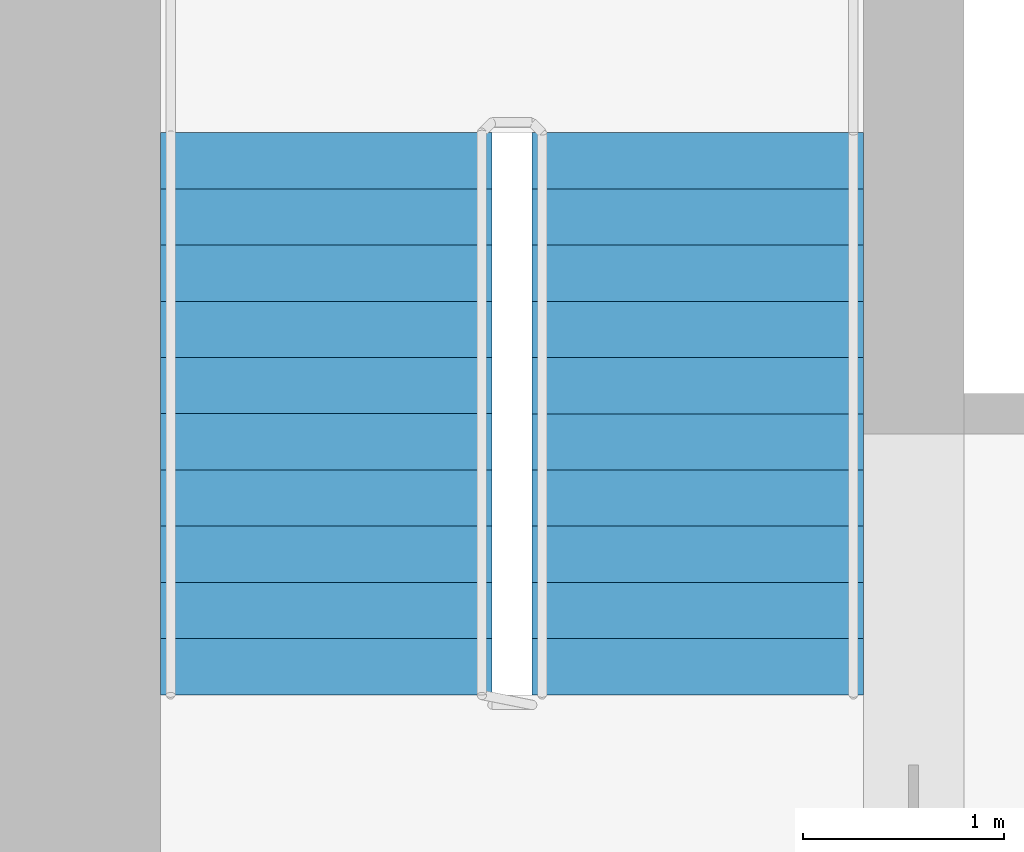
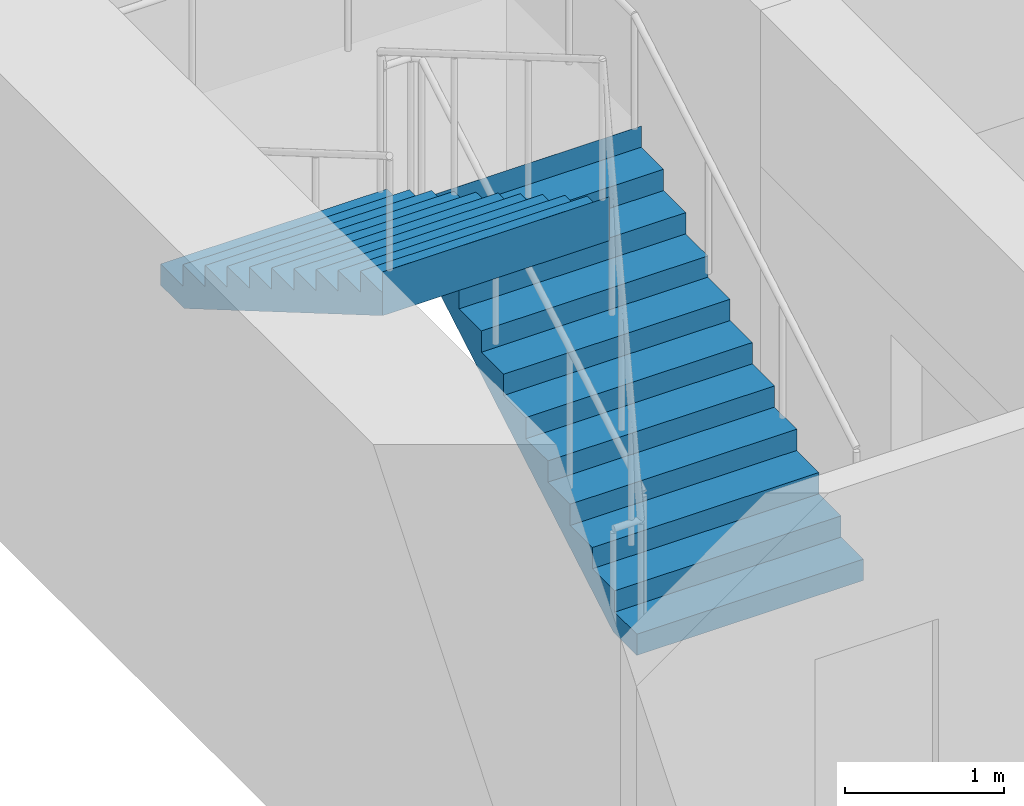
# One storey, part 13 of 14: 2 stair flights, 1 element without a shape of its own.
"""IFC4 building model written with IfcOpenShell, lengths in metres."""

import ifcopenshell
import ifcopenshell.guid

model = None  # the IFC model being written
_history = None  # IfcOwnerHistory: only IFC2X3 demands one
_inside = {}  # id of a spatial element -> (the spatial element, [elements in it])
_under = {}  # id of a project, library or spatial element -> (it, [spatial elements below it])
_declared = {}  # id of a project -> (the project, [libraries it declares])
_typed = {}  # id of a type object -> (the type object, [elements of that type])
_made_of = {}  # id of a material, layer set ... -> (it, [elements and type objects made of it])


def new_model(schema):
    """Start an empty IFC model of exactly this schema.

    Asked for "IFC4X3", IfcOpenShell would pick the latest addendum, in which some entities
    have other attributes; the version numbers below select the first issue.
    IFC2X3 requires an IfcOwnerHistory on every rooted entity: one is made here for all.
    """
    global model, _history
    if schema == "IFC4X3":
        model = ifcopenshell.file(schema_version=(4, 3, 0, 0))
    else:
        model = ifcopenshell.file(schema=schema)
    _inside.clear()
    _under.clear()
    _declared.clear()
    _typed.clear()
    _made_of.clear()
    _history = None
    if model.schema == "IFC2X3":
        org = make("IfcOrganization", Name="unknown")
        user = make(
            "IfcPersonAndOrganization",
            ThePerson=make("IfcPerson", FamilyName="unknown"),
            TheOrganization=org,
        )
        app = make(
            "IfcApplication",
            ApplicationDeveloper=org,
            Version="unknown",
            ApplicationFullName="unknown",
            ApplicationIdentifier="unknown",
        )
        _history = make(
            "IfcOwnerHistory",
            OwningUser=user,
            OwningApplication=app,
            ChangeAction="ADDED",
            CreationDate=0,
        )
    return model


def make(cls, **values):
    """One entity of the class cls with the attributes given. An attribute that is None is left unset."""
    return model.create_entity(
        cls, **{name: value for name, value in values.items() if value is not None}
    )


def rooted(cls, **values):
    """An entity with a GlobalId (a new one), such as an element, a storey or a relation."""
    return make(cls, GlobalId=ifcopenshell.guid.new(), OwnerHistory=_history, **values)


def si_unit(unit_type, name, prefix=None):
    """IfcSIUnit, for example si_unit("LENGTHUNIT", "METRE", prefix="MILLI")."""
    return make("IfcSIUnit", UnitType=unit_type, Prefix=prefix, Name=name)


def assignment(units):
    """IfcUnitAssignment: the units of a project."""
    return None if units is None else make("IfcUnitAssignment", Units=units)


def point(xyz):
    """IfcCartesianPoint."""
    return None if xyz is None else make("IfcCartesianPoint", Coordinates=xyz)


def direction(xyz):
    """IfcDirection."""
    return None if xyz is None else make("IfcDirection", DirectionRatios=xyz)


def frame(location, z_axis=None, x_axis=None):
    """IfcAxis2Placement3D, a coordinate frame: its origin and axes. An axis left out is left unset."""
    return make(
        "IfcAxis2Placement3D",
        Location=point(location),
        Axis=direction(z_axis),
        RefDirection=direction(x_axis),
    )


def origin():
    """The frame at (0, 0, 0) with its axes left unset."""
    return frame((0.0, 0.0, 0.0))


def place(relative_to, where):
    """IfcLocalPlacement: puts the frame where relative to a parent placement (None: the world)."""
    return make(
        "IfcLocalPlacement", PlacementRelTo=relative_to, RelativePlacement=where
    )


def context(
    kind, dimensions, precision=None, world=None, true_north=None, identifier=None
):
    """IfcGeometricRepresentationContext, for example the 3D "Model" context."""
    return make(
        "IfcGeometricRepresentationContext",
        ContextIdentifier=identifier,
        ContextType=kind,
        CoordinateSpaceDimension=dimensions,
        Precision=precision,
        WorldCoordinateSystem=world,
        TrueNorth=true_north,
    )


def subcontext(parent, identifier, kind, view, scale=None):
    """IfcGeometricRepresentationSubContext, for example "Body" below "Model"."""
    return make(
        "IfcGeometricRepresentationSubContext",
        ContextIdentifier=identifier,
        ContextType=kind,
        ParentContext=parent,
        TargetScale=scale,
        TargetView=view,
    )


def project(units=None, contexts=None):
    """IfcProject with its units and contexts."""
    return rooted(
        "IfcProject",
        Name="project",
        RepresentationContexts=contexts,
        UnitsInContext=assignment(units),
    )


def spatial(cls, under=None, at=None, **own):
    """A site, building, storey or space (cls), placed at a placement, below another one or the project."""
    s = rooted(cls, ObjectPlacement=at, **own)
    if under is not None:
        _under.setdefault(under.id(), (under, []))[1].append(s)
    return s


def polyline(points):
    """IfcPolyline through the points."""
    return make("IfcPolyline", Points=[point(p) for p in points])


def outline(outer, holes=None, kind="AREA"):
    """IfcArbitraryClosedProfileDef: a profile drawn as a closed curve; with holes, ...WithVoids."""
    if holes is None:
        return make("IfcArbitraryClosedProfileDef", ProfileType=kind, OuterCurve=outer)
    return make(
        "IfcArbitraryProfileDefWithVoids",
        ProfileType=kind,
        OuterCurve=outer,
        InnerCurves=holes,
    )


def extrude(swept, where, along, depth):
    """IfcExtrudedAreaSolid: the profile swept, set in the frame where, extruded along a direction by depth."""
    return make(
        "IfcExtrudedAreaSolid",
        SweptArea=swept,
        Position=where,
        ExtrudedDirection=direction(along),
        Depth=depth,
    )


def shape(context_of_items, identifier, shape_type, items):
    """IfcShapeRepresentation: the items that make up one representation, for example the "Body"."""
    return make(
        "IfcShapeRepresentation",
        ContextOfItems=context_of_items,
        RepresentationIdentifier=identifier,
        RepresentationType=shape_type,
        Items=items,
    )


def material(Name=None, Category=None):
    """IfcMaterial."""
    return make("IfcMaterial", Name=Name, Category=Category)


def made_of(thing, what):
    """Note that an element or type object is made of a material, layer set ...; save() writes the relation."""
    if what is not None:
        _made_of.setdefault(what.id(), (what, []))[1].append(thing)
    return thing


def type_object(cls, material=None, **own):
    """A type object (cls), such as IfcWallType, which elements share."""
    return made_of(rooted(cls, **own), material)


def element(
    cls,
    number,
    at=None,
    inside=None,
    cuts=None,
    type_object=None,
    material=None,
    context=None,
    identifier="Body",
    shape_type=None,
    held_by="IfcProductDefinitionShape",
    body=None,
    shapes=None,
    **own,
):
    """One element of the class cls, such as IfcWall. Its Tag is "e" and its number.

    at: its placement. inside: the storey or other place that contains it. cuts: it is an
    opening in that element (IfcRelVoidsElement). A single representation is given by context,
    identifier, shape_type and body (its items); several are given by shapes. held_by: the class
    of the entity that holds the representations. save() writes the other relations.
    """
    e = rooted(cls, Tag="e%d" % number, ObjectPlacement=at, **own)
    if body is not None:
        shapes = [shape(context, identifier, shape_type, body)]
    if shapes is not None:
        e.Representation = make(held_by, Representations=shapes)
    if inside is not None:
        _inside.setdefault(inside.id(), (inside, []))[1].append(e)
    if cuts is not None:
        rooted(
            "IfcRelVoidsElement", RelatingBuildingElement=cuts, RelatedOpeningElement=e
        )
    if type_object is not None:
        _typed.setdefault(type_object.id(), (type_object, []))[1].append(e)
    return made_of(e, material)


def aggregate(whole, parts):
    """IfcRelAggregates: a whole, such as a stair, and the parts it consists of."""
    return rooted("IfcRelAggregates", RelatingObject=whole, RelatedObjects=parts)


def save(model, path):
    """Write the relations noted so far, then the file.

    IfcRelAggregates (storeys below a building ...), IfcRelContainedInSpatialStructure (elements
    in a storey), IfcRelDefinesByType, IfcRelAssociatesMaterial and IfcRelDeclares: one each for
    every whole, place, type object, material and project.
    """
    for whole, parts in _under.values():
        aggregate(whole, parts)
    for where, things in _inside.values():
        rooted(
            "IfcRelContainedInSpatialStructure",
            RelatedElements=things,
            RelatingStructure=where,
        )
    for kind, things in _typed.values():
        rooted("IfcRelDefinesByType", RelatedObjects=things, RelatingType=kind)
    for what, things in _made_of.values():
        rooted("IfcRelAssociatesMaterial", RelatedObjects=things, RelatingMaterial=what)
    for by, libraries in _declared.values():
        rooted("IfcRelDeclares", RelatingContext=by, RelatedDefinitions=libraries)
    model.write(path)


model = new_model("IFC4")

# Units and contexts
model_context = context("Model", 3, precision=1e-05, world=origin(), true_north=direction((0.0, 1.0)))
body_context = subcontext(model_context, "Body", "Model", "MODEL_VIEW")
ifc_project = project(units=[si_unit("LENGTHUNIT", "METRE"), si_unit("AREAUNIT", "SQUARE_METRE"), si_unit("VOLUMEUNIT", "CUBIC_METRE"), si_unit("PLANEANGLEUNIT", "RADIAN"), si_unit("MASSUNIT", "GRAM", prefix="KILO")], contexts=[model_context])

# Site, building, storey
site_placement = place(None, origin())
site = spatial("IfcSite", under=ifc_project, at=site_placement, CompositionType="ELEMENT")
building_placement = place(site_placement, origin())
building = spatial("IfcBuilding", under=site, at=building_placement, Name="Tamorin Gate", CompositionType="ELEMENT")
storey_placement = place(building_placement, frame((0.0, 0.0, 59.199951171875)))
storey = spatial("IfcBuildingStorey", under=building, at=storey_placement, Name="L13", CompositionType="ELEMENT", Elevation=59.199951171875)

# Stair, stair flights
ifc_material = material(Name="Concrete C40/50", Category="concrete")
stair_type = type_object("IfcStairType", Name="Exit stair", PredefinedType="HALF_TURN_STAIR", material=ifc_material)
stair_placement = place(storey_placement, origin())
stair = element("IfcStair", 1, at=stair_placement, inside=storey, type_object=stair_type, Name="L13 stair ST2", PredefinedType="HALF_TURN_STAIR")
stair_flight_type = type_object("IfcStairFlightType", Name="Exit stair flight", PredefinedType="STRAIGHT", material=ifc_material)
stair_flight_1_placement = place(storey_placement, frame((33.675048828125, 77.0, 0.0), z_axis=(0.0, 0.0, 1.0), x_axis=(0.0, 1.0, 0.0)))
stair_flight_1 = element("IfcStairFlight", 2, at=stair_flight_1_placement, type_object=stair_flight_type, Name="ST2 flight 1", NumberOfRisers=11, NumberOfTreads=10, PredefinedType="STRAIGHT", RiserHeight=0.163636364, TreadLength=0.28, context=body_context, shape_type="SweptSolid", body=[
    extrude(outline(polyline([(-0.00048828125, 0.0), (-0.00048828125, 0.001708984375), (-0.00048828125, 0.003173828125), (-0.00048828125, 0.0048828125), (-0.00048828125, 0.006591796875), (-0.00048828125, 0.008056640625), (-0.00048828125, 0.009765625), (-0.00048828125, 0.01123046875), (-0.00048828125, 0.012939453125), (-0.00048828125, 0.0146484375), (-0.00048828125, 0.01611328125), (-0.00048828125, 0.017822265625), (-0.00048828125, 0.01953125), (-0.00048828125, 0.02099609375), (-0.00048828125, 0.022705078125), (-0.00048828125, 0.0244140625), (-0.00048828125, 0.02587890625), (-0.00048828125, 0.027587890625), (-0.00048828125, 0.029052734375), (-0.00048828125, 0.03076171875), (-0.00048828125, 0.032470703125), (-0.00048828125, 0.033935546875), (-0.00048828125, 0.03564453125), (-0.00048828125, 0.037353515625), (-0.00048828125, 0.038818359375), (-0.00048828125, 0.04052734375), (-0.00048828125, 0.042236328125), (-0.00048828125, 0.043701171875), (-0.00048828125, 0.04541015625), (-0.00048828125, 0.046875), (-0.00048828125, 0.048583984375), (-0.00048828125, 0.05029296875), (-0.00048828125, 0.0517578125), (-0.00048828125, 0.053466796875), (-0.00048828125, 0.05517578125), (-0.00048828125, 0.056640625), (-0.00048828125, 0.058349609375), (-0.00048828125, 0.06005859375), (-0.00048828125, 0.0615234375), (-0.00048828125, 0.063232421875), (-0.00048828125, 0.064697265625), (-0.00048828125, 0.06640625), (-0.00048828125, 0.068115234375), (-0.00048828125, 0.069580078125), (-0.00048828125, 0.0712890625), (-0.00048828125, 0.072998046875), (-0.00048828125, 0.074462890625), (-0.00048828125, 0.076171875), (-0.00048828125, 0.077880859375), (-0.00048828125, 0.079345703125), (-0.00048828125, 0.0810546875), (-0.00048828125, 0.08251953125), (-0.00048828125, 0.084228515625), (-0.00048828125, 0.0859375), (-0.00048828125, 0.08740234375), (-0.00048828125, 0.089111328125), (-0.00048828125, 0.0908203125), (-0.00048828125, 0.09228515625), (-0.00048828125, 0.093994140625), (-0.00048828125, 0.095703125), (-0.00048828125, 0.09716796875), (-0.00048828125, 0.098876953125), (-0.00048828125, 0.100341796875), (-0.00048828125, 0.10205078125), (-0.00048828125, 0.103759765625), (-0.00048828125, 0.105224609375), (-0.00048828125, 0.10693359375), (-0.00048828125, 0.108642578125), (-0.00048828125, 0.110107421875), (-0.00048828125, 0.11181640625), (-0.00048828125, 0.113525390625), (-0.00048828125, 0.114990234375), (-0.00048828125, 0.11669921875), (-0.00048828125, 0.1181640625), (-0.00048828125, 0.119873046875), (-0.00048828125, 0.12158203125), (-0.00048828125, 0.123046875), (-0.00048828125, 0.124755859375), (-0.00048828125, 0.12646484375), (-0.00048828125, 0.1279296875), (-0.00048828125, 0.129638671875), (-0.00048828125, 0.13134765625), (-0.00048828125, 0.1328125), (-0.00048828125, 0.134521484375), (-0.00048828125, 0.135986328125), (-0.00048828125, 0.1376953125), (-0.00048828125, 0.139404296875), (-0.00048828125, 0.140869140625), (-0.00048828125, 0.142578125), (-0.00048828125, 0.144287109375), (-0.00048828125, 0.145751953125), (-0.00048828125, 0.1474609375), (-0.00048828125, 0.149169921875), (-0.00048828125, 0.150634765625), (-0.00048828125, 0.15234375), (-0.00048828125, 0.15380859375), (-0.00048828125, 0.155517578125), (-0.00048828125, 0.1572265625), (-0.00048828125, 0.15869140625), (-0.00048828125, 0.160400390625), (-0.00048828125, 0.162109375), (-0.00048828125, 0.16357421875), (0.280029296875, 0.16357421875), (0.280029296875, 0.327392578125), (0.56005859375, 0.327392578125), (0.56005859375, 0.490966796875), (0.840087890625, 0.490966796875), (0.840087890625, 0.654541015625), (1.1201171875, 0.654541015625), (1.1201171875, 0.818115234375), (1.39990234375, 0.818115234375), (1.39990234375, 0.98193359375), (1.679931640625, 0.98193359375), (1.679931640625, 1.1455078125), (1.9599609375, 1.1455078125), (1.9599609375, 1.30908203125), (2.239990234375, 1.30908203125), (2.239990234375, 1.47265625), (2.52001953125, 1.47265625), (2.52001953125, 1.636474609375), (2.800048828125, 1.636474609375), (2.800048828125, 1.800048828125), (2.800537109375, 1.800048828125), (2.800537109375, 1.796630859375), (2.800537109375, 1.793212890625), (2.800537109375, 1.7900390625), (2.800537109375, 1.78662109375), (2.800537109375, 1.783203125), (2.800537109375, 1.780029296875), (2.800537109375, 1.776611328125), (2.800537109375, 1.773193359375), (2.800537109375, 1.77001953125), (2.800537109375, 1.7666015625), (2.800537109375, 1.76318359375), (2.800537109375, 1.760009765625), (2.800537109375, 1.756591796875), (2.800537109375, 1.753173828125), (2.800537109375, 1.75), (2.800537109375, 1.74658203125), (2.800537109375, 1.7431640625), (2.800537109375, 1.739990234375), (2.800537109375, 1.736572265625), (2.800537109375, 1.733154296875), (2.800537109375, 1.72998046875), (2.800537109375, 1.7265625), (2.800537109375, 1.72314453125), (2.800537109375, 1.719970703125), (2.800537109375, 1.716552734375), (2.800537109375, 1.713134765625), (2.800537109375, 1.7099609375), (2.800537109375, 1.70654296875), (2.800537109375, 1.703125), (2.800537109375, 1.69970703125), (2.800537109375, 1.696533203125), (2.800537109375, 1.693115234375), (2.800537109375, 1.689697265625), (2.800537109375, 1.6865234375), (2.800537109375, 1.68310546875), (2.800537109375, 1.6796875), (2.800537109375, 1.676513671875), (2.800537109375, 1.673095703125), (2.800537109375, 1.669677734375), (2.800537109375, 1.66650390625), (2.800537109375, 1.6630859375), (2.800537109375, 1.65966796875), (2.800537109375, 1.656494140625), (2.800537109375, 1.653076171875), (2.800537109375, 1.649658203125), (2.800537109375, 1.646484375), (2.800537109375, 1.64306640625), (2.800537109375, 1.6396484375), (2.800537109375, 1.636474609375), (2.800537109375, 1.633056640625), (2.800537109375, 1.629638671875), (2.800537109375, 1.62646484375), (2.800537109375, 1.623046875), (2.800537109375, 1.61962890625), (2.800537109375, 1.616455078125), (2.800537109375, 1.613037109375), (2.800537109375, 1.609619140625), (2.800537109375, 1.6064453125), (2.800537109375, 1.60302734375), (2.800537109375, 1.599609375), (2.800537109375, 1.59619140625), (2.800537109375, 1.593017578125), (2.800537109375, 1.589599609375), (2.800537109375, 1.586181640625), (2.800537109375, 1.5830078125), (2.800537109375, 1.57958984375), (2.800537109375, 1.576171875), (2.800537109375, 1.572998046875), (2.800537109375, 1.569580078125), (2.800537109375, 1.566162109375), (2.800537109375, 1.56298828125), (2.800537109375, 1.5595703125), (2.800537109375, 1.55615234375), (2.800537109375, 1.552978515625), (2.800537109375, 1.549560546875), (2.800537109375, 1.546142578125), (2.800537109375, 1.54296875), (2.800537109375, 1.53955078125), (2.800537109375, 1.5361328125), (2.800537109375, 1.532958984375), (2.800537109375, 1.529541015625), (2.800537109375, 1.526123046875), (2.800537109375, 1.52294921875), (2.800537109375, 1.51953125), (2.800537109375, 1.51611328125), (2.800537109375, 1.512939453125), (2.800537109375, 1.509521484375), (2.800537109375, 1.506103515625), (2.800537109375, 1.5029296875), (2.800537109375, 1.49951171875), (2.800537109375, 1.49609375), (2.800537109375, 1.49267578125), (2.800537109375, 1.489501953125), (2.800537109375, 1.486083984375), (2.800537109375, 1.482666015625), (2.800537109375, 1.4794921875), (2.800537109375, 1.47607421875), (2.800537109375, 1.47265625), (2.800537109375, 1.469482421875), (2.800537109375, 1.466064453125), (2.800537109375, 1.462646484375), (2.800048828125, 1.462646484375), (0.297119140625, 0.0), (-0.00048828125, 0.0)])), frame((0.0, 0.824951171875, 0.0), z_axis=(0.0, -1.0, 0.0), x_axis=(1.0, 0.0, 0.0)), (0.0, 0.0, 1.0), 1.64990234375),
])
stair_flight_2_placement = place(storey_placement, frame((31.824951171875, 79.800048828125, 1.800048828125), z_axis=(0.0, 0.0, 1.0), x_axis=(0.0, -1.0, 0.0)))
stair_flight_2 = element("IfcStairFlight", 3, at=stair_flight_2_placement, type_object=stair_flight_type, Name="ST2 flight 2", NumberOfRisers=11, NumberOfTreads=10, PredefinedType="STRAIGHT", RiserHeight=0.163636364, TreadLength=0.28, context=body_context, shape_type="SweptSolid", body=[
    extrude(outline(polyline([(-0.00048828125, 0.0), (-0.00048828125, 0.001708984375), (-0.00048828125, 0.003173828125), (-0.00048828125, 0.0048828125), (-0.00048828125, 0.006591796875), (-0.00048828125, 0.008056640625), (-0.00048828125, 0.009765625), (-0.00048828125, 0.01123046875), (-0.00048828125, 0.012939453125), (-0.00048828125, 0.0146484375), (-0.00048828125, 0.01611328125), (-0.00048828125, 0.017822265625), (-0.00048828125, 0.01953125), (-0.00048828125, 0.02099609375), (-0.00048828125, 0.022705078125), (-0.00048828125, 0.0244140625), (-0.00048828125, 0.02587890625), (-0.00048828125, 0.027587890625), (-0.00048828125, 0.029052734375), (-0.00048828125, 0.03076171875), (-0.00048828125, 0.032470703125), (-0.00048828125, 0.033935546875), (-0.00048828125, 0.03564453125), (-0.00048828125, 0.037353515625), (-0.00048828125, 0.038818359375), (-0.00048828125, 0.04052734375), (-0.00048828125, 0.042236328125), (-0.00048828125, 0.043701171875), (-0.00048828125, 0.04541015625), (-0.00048828125, 0.046875), (-0.00048828125, 0.048583984375), (-0.00048828125, 0.05029296875), (-0.00048828125, 0.0517578125), (-0.00048828125, 0.053466796875), (-0.00048828125, 0.05517578125), (-0.00048828125, 0.056640625), (-0.00048828125, 0.058349609375), (-0.00048828125, 0.06005859375), (-0.00048828125, 0.0615234375), (-0.00048828125, 0.063232421875), (-0.00048828125, 0.064697265625), (-0.00048828125, 0.06640625), (-0.00048828125, 0.068115234375), (-0.00048828125, 0.069580078125), (-0.00048828125, 0.0712890625), (-0.00048828125, 0.072998046875), (-0.00048828125, 0.074462890625), (-0.00048828125, 0.076171875), (-0.00048828125, 0.077880859375), (-0.00048828125, 0.079345703125), (-0.00048828125, 0.0810546875), (-0.00048828125, 0.08251953125), (-0.00048828125, 0.084228515625), (-0.00048828125, 0.0859375), (-0.00048828125, 0.08740234375), (-0.00048828125, 0.089111328125), (-0.00048828125, 0.0908203125), (-0.00048828125, 0.09228515625), (-0.00048828125, 0.093994140625), (-0.00048828125, 0.095703125), (-0.00048828125, 0.09716796875), (-0.00048828125, 0.098876953125), (-0.00048828125, 0.100341796875), (-0.00048828125, 0.10205078125), (-0.00048828125, 0.103759765625), (-0.00048828125, 0.105224609375), (-0.00048828125, 0.10693359375), (-0.00048828125, 0.108642578125), (-0.00048828125, 0.110107421875), (-0.00048828125, 0.11181640625), (-0.00048828125, 0.113525390625), (-0.00048828125, 0.114990234375), (-0.00048828125, 0.11669921875), (-0.00048828125, 0.1181640625), (-0.00048828125, 0.119873046875), (-0.00048828125, 0.12158203125), (-0.00048828125, 0.123046875), (-0.00048828125, 0.124755859375), (-0.00048828125, 0.12646484375), (-0.00048828125, 0.1279296875), (-0.00048828125, 0.129638671875), (-0.00048828125, 0.13134765625), (-0.00048828125, 0.1328125), (-0.00048828125, 0.134521484375), (-0.00048828125, 0.135986328125), (-0.00048828125, 0.1376953125), (-0.00048828125, 0.139404296875), (-0.00048828125, 0.140869140625), (-0.00048828125, 0.142578125), (-0.00048828125, 0.144287109375), (-0.00048828125, 0.145751953125), (-0.00048828125, 0.1474609375), (-0.00048828125, 0.149169921875), (-0.00048828125, 0.150634765625), (-0.00048828125, 0.15234375), (-0.00048828125, 0.15380859375), (-0.00048828125, 0.155517578125), (-0.00048828125, 0.1572265625), (-0.00048828125, 0.15869140625), (-0.00048828125, 0.160400390625), (-0.00048828125, 0.162109375), (-0.00048828125, 0.16357421875), (0.280029296875, 0.16357421875), (0.280029296875, 0.327392578125), (0.56005859375, 0.327392578125), (0.56005859375, 0.490966796875), (0.840087890625, 0.490966796875), (0.840087890625, 0.654541015625), (1.1201171875, 0.654541015625), (1.1201171875, 0.818115234375), (1.39990234375, 0.818115234375), (1.39990234375, 0.98193359375), (1.679931640625, 0.98193359375), (1.679931640625, 1.1455078125), (1.9599609375, 1.1455078125), (1.9599609375, 1.30908203125), (2.239990234375, 1.30908203125), (2.239990234375, 1.47265625), (2.52001953125, 1.47265625), (2.52001953125, 1.636474609375), (2.800048828125, 1.636474609375), (2.800048828125, 1.800048828125), (2.800537109375, 1.800048828125), (2.800537109375, 1.796630859375), (2.800537109375, 1.793212890625), (2.800537109375, 1.7900390625), (2.800537109375, 1.78662109375), (2.800537109375, 1.783203125), (2.800537109375, 1.780029296875), (2.800537109375, 1.776611328125), (2.800537109375, 1.773193359375), (2.800537109375, 1.77001953125), (2.800537109375, 1.7666015625), (2.800537109375, 1.76318359375), (2.800537109375, 1.760009765625), (2.800537109375, 1.756591796875), (2.800537109375, 1.753173828125), (2.800537109375, 1.75), (2.800537109375, 1.74658203125), (2.800537109375, 1.7431640625), (2.800537109375, 1.739990234375), (2.800537109375, 1.736572265625), (2.800537109375, 1.733154296875), (2.800537109375, 1.72998046875), (2.800537109375, 1.7265625), (2.800537109375, 1.72314453125), (2.800537109375, 1.719970703125), (2.800537109375, 1.716552734375), (2.800537109375, 1.713134765625), (2.800537109375, 1.7099609375), (2.800537109375, 1.70654296875), (2.800537109375, 1.703125), (2.800537109375, 1.69970703125), (2.800537109375, 1.696533203125), (2.800537109375, 1.693115234375), (2.800537109375, 1.689697265625), (2.800537109375, 1.6865234375), (2.800537109375, 1.68310546875), (2.800537109375, 1.6796875), (2.800537109375, 1.676513671875), (2.800537109375, 1.673095703125), (2.800537109375, 1.669677734375), (2.800537109375, 1.66650390625), (2.800537109375, 1.6630859375), (2.800537109375, 1.65966796875), (2.800537109375, 1.656494140625), (2.800537109375, 1.653076171875), (2.800537109375, 1.649658203125), (2.800537109375, 1.646484375), (2.800537109375, 1.64306640625), (2.800537109375, 1.6396484375), (2.800537109375, 1.636474609375), (2.800537109375, 1.633056640625), (2.800537109375, 1.629638671875), (2.800537109375, 1.62646484375), (2.800537109375, 1.623046875), (2.800537109375, 1.61962890625), (2.800537109375, 1.616455078125), (2.800537109375, 1.613037109375), (2.800537109375, 1.609619140625), (2.800537109375, 1.6064453125), (2.800537109375, 1.60302734375), (2.800537109375, 1.599609375), (2.800537109375, 1.59619140625), (2.800537109375, 1.593017578125), (2.800537109375, 1.589599609375), (2.800537109375, 1.586181640625), (2.800537109375, 1.5830078125), (2.800537109375, 1.57958984375), (2.800537109375, 1.576171875), (2.800537109375, 1.572998046875), (2.800537109375, 1.569580078125), (2.800537109375, 1.566162109375), (2.800537109375, 1.56298828125), (2.800537109375, 1.5595703125), (2.800537109375, 1.55615234375), (2.800537109375, 1.552978515625), (2.800537109375, 1.549560546875), (2.800537109375, 1.546142578125), (2.800537109375, 1.54296875), (2.800537109375, 1.53955078125), (2.800537109375, 1.5361328125), (2.800537109375, 1.532958984375), (2.800537109375, 1.529541015625), (2.800537109375, 1.526123046875), (2.800537109375, 1.52294921875), (2.800537109375, 1.51953125), (2.800537109375, 1.51611328125), (2.800537109375, 1.512939453125), (2.800537109375, 1.509521484375), (2.800537109375, 1.506103515625), (2.800537109375, 1.5029296875), (2.800537109375, 1.49951171875), (2.800537109375, 1.49609375), (2.800537109375, 1.49267578125), (2.800537109375, 1.489501953125), (2.800537109375, 1.486083984375), (2.800537109375, 1.482666015625), (2.800537109375, 1.4794921875), (2.800537109375, 1.47607421875), (2.800537109375, 1.47265625), (2.800537109375, 1.469482421875), (2.800537109375, 1.466064453125), (2.800537109375, 1.462646484375), (2.800048828125, 1.462646484375), (0.297119140625, 0.0), (-0.00048828125, 0.0)])), frame((0.0, 0.824951171875, 0.0), z_axis=(0.0, -1.0, 0.0), x_axis=(1.0, 0.0, 0.0)), (0.0, 0.0, 1.0), 1.64990234375),
])
aggregate(stair, [stair_flight_1, stair_flight_2])

save(model, "model.ifc")
